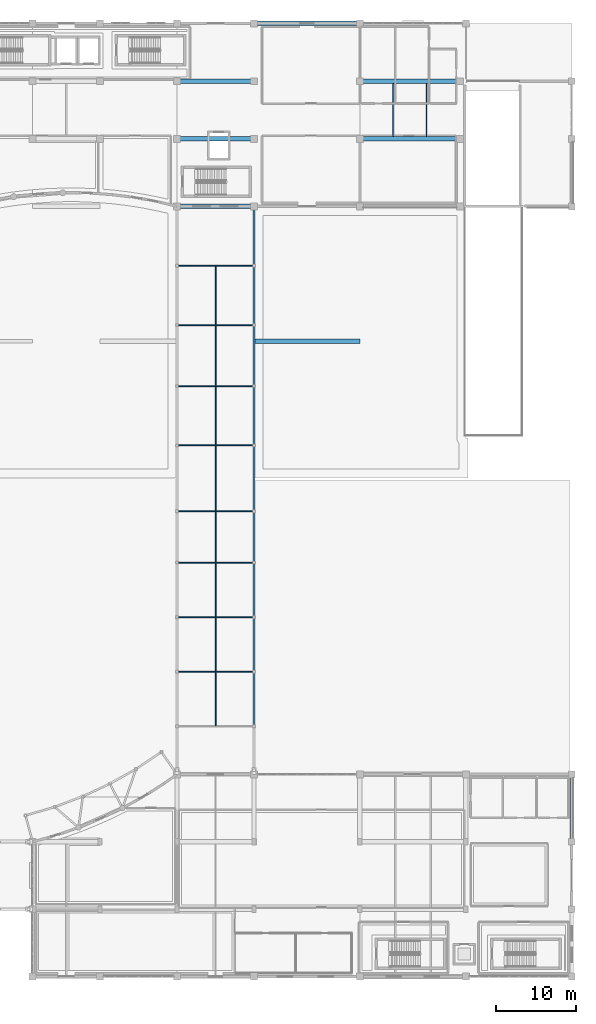
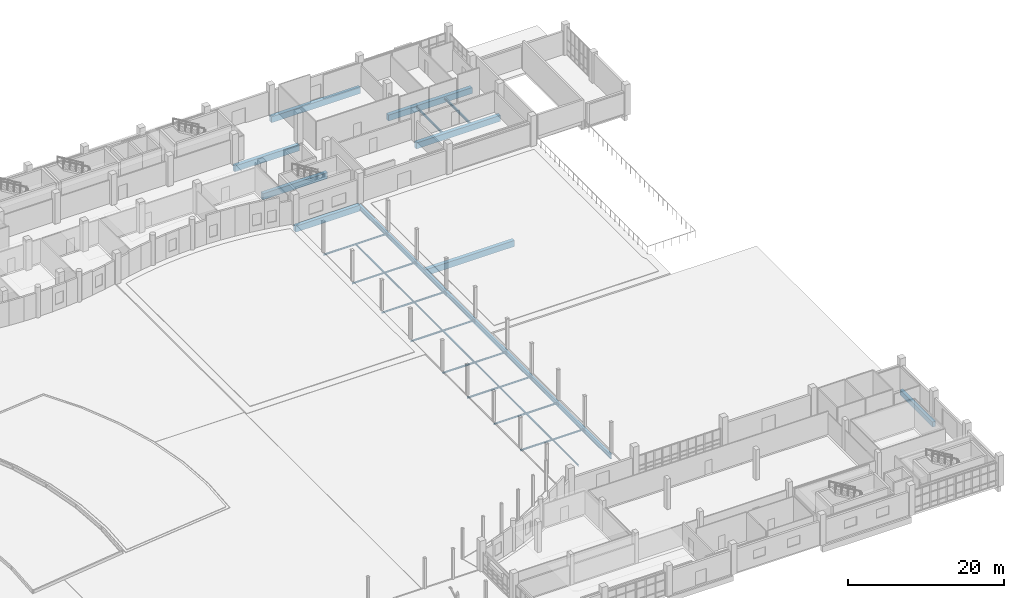
# One storey, part 41 of 97: 35 beams.
"""IFC4 building model written with IfcOpenShell, lengths in metres."""

from ifc_helpers import new_model, si_unit, direction, frame, origin, origin_2d, place, context, subcontext, project, spatial, rectangle, i_section, extrude, material, material_profile, profile_set, type_object, element, save


model = new_model("IFC4")

# Units and contexts
model_context = context("Model", 3, precision=1e-05, world=origin(), true_north=direction((0.0, 1.0)))
body_context = subcontext(model_context, "Body", "Model", "MODEL_VIEW")
ifc_project = project(units=[si_unit("LENGTHUNIT", "METRE"), si_unit("AREAUNIT", "SQUARE_METRE"), si_unit("VOLUMEUNIT", "CUBIC_METRE"), si_unit("PLANEANGLEUNIT", "RADIAN"), si_unit("MASSUNIT", "GRAM", prefix="KILO")], contexts=[model_context])

# Site, building, storey
site_placement = place(None, origin())
site = spatial("IfcSite", under=ifc_project, at=site_placement, CompositionType="ELEMENT")
building_placement = place(site_placement, origin())
building = spatial("IfcBuilding", under=site, at=building_placement, Name="Kisaragi Civic Commons", CompositionType="ELEMENT")
storey_placement = place(building_placement, origin())
storey = spatial("IfcBuildingStorey", under=building, at=storey_placement, Name="L00", CompositionType="ELEMENT", Elevation=0.0)

# Beams
ifc_material_1 = material(Name="Concrete Fc36", Category="concrete")
ifc_material_profile_1 = material_profile(ifc_material_1, rectangle(XDim=0.550048828125, YDim=0.949951171875, at=origin_2d()), Name="RC-550x950", Category="concrete")
ifc_profile_set_1 = profile_set([ifc_material_profile_1], Name="Concrete Fc36")
beam_type_1 = type_object("IfcBeamType", Name="G-01", PredefinedType="BEAM", material=ifc_profile_set_1)
beam_1_placement = place(storey_placement, frame((133.199951171875, 79.199951171875, -0.800048828125), z_axis=(1.0, 0.0, 0.0), x_axis=(0.0, 1.0, 0.0)))
element("IfcBeam", 1, at=beam_1_placement, inside=storey, type_object=beam_type_1, Name="L00 girder G-01 110", PredefinedType="BEAM", context=body_context, shape_type="SweptSolid", body=[
    extrude(rectangle(XDim=0.550048828125, YDim=0.949951171875, at=origin_2d()), origin(), (0.0, 0.0, 1.0), 13.199951171875),
])
for number, where, z_axis, x_axis, name in (
    (2, (123.60009765625, 96.0, -0.800048828125), (1.0, 0.0, 0.0), (0.0, 1.0, 0.0), "L00 girder G-01 114"),
    (3, (123.60009765625, 104.39990234375, -0.800048828125), (1.0, 0.0, 0.0), (0.0, 1.0, 0.0), "L00 girder G-01 118"),
):
    element("IfcBeam", number, at=place(storey_placement, frame(where, z_axis=z_axis, x_axis=x_axis)), inside=storey, type_object=beam_type_1, Name=name, PredefinedType="BEAM", context=body_context, shape_type="SweptSolid", body=[
        extrude(rectangle(XDim=0.550048828125, YDim=0.949951171875, at=origin_2d()), origin(), (0.0, 0.0, 1.0), 9.599853515625),
    ])
beam_2_placement = place(storey_placement, frame((146.39990234375, 104.39990234375, -0.800048828125), z_axis=(1.0, 0.0, 0.0), x_axis=(0.0, 1.0, 0.0)))
element("IfcBeam", 4, at=beam_2_placement, inside=storey, type_object=beam_type_1, Name="L00 girder G-01 119", PredefinedType="BEAM", context=body_context, shape_type="SweptSolid", body=[
    extrude(rectangle(XDim=0.550048828125, YDim=0.949951171875, at=origin_2d()), origin(), (0.0, 0.0, 1.0), 12.4501953125),
])
beam_3_placement = place(storey_placement, frame((123.60009765625, 111.60009765625, -0.800048828125), z_axis=(1.0, 0.0, 0.0), x_axis=(0.0, 1.0, 0.0)))
element("IfcBeam", 5, at=beam_3_placement, inside=storey, type_object=beam_type_1, Name="L00 girder G-01 123", PredefinedType="BEAM", context=body_context, shape_type="SweptSolid", body=[
    extrude(rectangle(XDim=0.550048828125, YDim=0.949951171875, at=origin_2d()), origin(), (0.0, 0.0, 1.0), 9.599853515625),
])
beam_4_placement = place(storey_placement, frame((146.39990234375, 111.60009765625, -0.800048828125), z_axis=(1.0, 0.0, 0.0), x_axis=(0.0, 1.0, 0.0)))
element("IfcBeam", 6, at=beam_4_placement, inside=storey, type_object=beam_type_1, Name="L00 girder G-01 124", PredefinedType="BEAM", context=body_context, shape_type="SweptSolid", body=[
    extrude(rectangle(XDim=0.550048828125, YDim=0.949951171875, at=origin_2d()), origin(), (0.0, 0.0, 1.0), 12.4501953125),
])
beam_5_placement = place(storey_placement, frame((133.199951171875, 118.800048828125, -0.800048828125), z_axis=(1.0, 0.0, 0.0), x_axis=(0.0, 1.0, 0.0)))
element("IfcBeam", 7, at=beam_5_placement, inside=storey, type_object=beam_type_1, Name="L00 girder G-01 127", PredefinedType="BEAM", context=body_context, shape_type="SweptSolid", body=[
    extrude(rectangle(XDim=0.550048828125, YDim=0.949951171875, at=origin_2d()), origin(), (0.0, 0.0, 1.0), 13.199951171875),
])
ifc_material_2 = material(Name="Steel SN490 (SN490B)", Category="steel")
ifc_material_profile_2 = material_profile(ifc_material_2, i_section(OverallWidth=0.300048828125, OverallDepth=0.699951171875, WebThickness=0.012939453125, FlangeThickness=0.02392578125, FilletRadius=0.01806640625, at=origin_2d()), Name="H-700x300x13x24", Category="steel")
ifc_profile_set_2 = profile_set([ifc_material_profile_2], Name="Steel SN490 (SN490B)")
beam_type_2 = type_object("IfcBeamType", Name="G-09", PredefinedType="BEAM", material=ifc_profile_set_2)
beam_6_placement = place(storey_placement, frame((133.199951171875, 96.0, -0.68994140625), z_axis=(0.0, -1.0, 0.0), x_axis=(1.0, 0.0, 0.0)))
element("IfcBeam", 8, at=beam_6_placement, inside=storey, type_object=beam_type_2, Name="BR-V4-V3 L00 bridge girder 102", PredefinedType="BEAM", context=body_context, shape_type="SweptSolid", body=[
    extrude(i_section(OverallWidth=0.300048828125, OverallDepth=0.699951171875, WebThickness=0.012939453125, FlangeThickness=0.02392578125, FilletRadius=0.01806640625, at=origin_2d()), origin(), (0.0, 0.0, 1.0), 7.39990234375),
])
beam_7_placement = place(storey_placement, frame((133.199951171875, 88.60009765625, -0.68994140625), z_axis=(0.0, -1.0, 0.0), x_axis=(1.0, 0.0, 0.0)))
element("IfcBeam", 9, at=beam_7_placement, inside=storey, type_object=beam_type_2, Name="BR-V4-V3 L00 bridge girder 103", PredefinedType="BEAM", context=body_context, shape_type="SweptSolid", body=[
    extrude(i_section(OverallWidth=0.300048828125, OverallDepth=0.699951171875, WebThickness=0.012939453125, FlangeThickness=0.02392578125, FilletRadius=0.01806640625, at=origin_2d()), origin(), (0.0, 0.0, 1.0), 7.400146484375),
])
beam_8_placement = place(storey_placement, frame((133.199951171875, 81.199951171875, -0.68994140625), z_axis=(0.0, -1.0, 0.0), x_axis=(1.0, 0.0, 0.0)))
element("IfcBeam", 10, at=beam_8_placement, inside=storey, type_object=beam_type_2, Name="BR-V4-V3 L00 bridge girder 104", PredefinedType="BEAM", context=body_context, shape_type="SweptSolid", body=[
    extrude(i_section(OverallWidth=0.300048828125, OverallDepth=0.699951171875, WebThickness=0.012939453125, FlangeThickness=0.02392578125, FilletRadius=0.01806640625, at=origin_2d()), origin(), (0.0, 0.0, 1.0), 7.599853515625),
])
beam_9_placement = place(storey_placement, frame((133.199951171875, 73.60009765625, -0.68994140625), z_axis=(0.0, -1.0, 0.0), x_axis=(1.0, 0.0, 0.0)))
element("IfcBeam", 11, at=beam_9_placement, inside=storey, type_object=beam_type_2, Name="BR-V4-V3 L00 bridge girder 105", PredefinedType="BEAM", context=body_context, shape_type="SweptSolid", body=[
    extrude(i_section(OverallWidth=0.300048828125, OverallDepth=0.699951171875, WebThickness=0.012939453125, FlangeThickness=0.02392578125, FilletRadius=0.01806640625, at=origin_2d()), origin(), (0.0, 0.0, 1.0), 7.400146484375),
])
beam_10_placement = place(storey_placement, frame((133.199951171875, 66.199951171875, -0.68994140625), z_axis=(0.0, -1.0, 0.0), x_axis=(1.0, 0.0, 0.0)))
element("IfcBeam", 12, at=beam_10_placement, inside=storey, type_object=beam_type_2, Name="BR-V4-V3 L00 bridge girder 106", PredefinedType="BEAM", context=body_context, shape_type="SweptSolid", body=[
    extrude(i_section(OverallWidth=0.300048828125, OverallDepth=0.699951171875, WebThickness=0.012939453125, FlangeThickness=0.02392578125, FilletRadius=0.01806640625, at=origin_2d()), origin(), (0.0, 0.0, 1.0), 8.199951171875),
])
beam_11_placement = place(storey_placement, frame((133.199951171875, 58.0, -0.68994140625), z_axis=(0.0, -1.0, 0.0), x_axis=(1.0, 0.0, 0.0)))
element("IfcBeam", 13, at=beam_11_placement, inside=storey, type_object=beam_type_2, Name="BR-V4-V3 L00 bridge girder 107", PredefinedType="BEAM", context=body_context, shape_type="SweptSolid", body=[
    extrude(i_section(OverallWidth=0.300048828125, OverallDepth=0.699951171875, WebThickness=0.012939453125, FlangeThickness=0.02392578125, FilletRadius=0.01806640625, at=origin_2d()), origin(), (0.0, 0.0, 1.0), 6.39990234375),
])
for number, where, z_axis, x_axis, name in (
    (14, (133.199951171875, 51.60009765625, -0.68994140625), (0.0, -1.0, 0.0), (1.0, 0.0, 0.0), "BR-V4-V3 L00 bridge girder 108"),
    (15, (133.199951171875, 44.800048828125, -0.68994140625), (0.0, -1.0, 0.0), (1.0, 0.0, 0.0), "BR-V4-V3 L00 bridge girder 109"),
    (16, (133.199951171875, 38.0, -0.68994140625), (0.0, -1.0, 0.0), (1.0, 0.0, 0.0), "BR-V4-V3 L00 bridge girder 110"),
):
    element("IfcBeam", number, at=place(storey_placement, frame(where, z_axis=z_axis, x_axis=x_axis)), inside=storey, type_object=beam_type_2, Name=name, PredefinedType="BEAM", context=body_context, shape_type="SweptSolid", body=[
        extrude(i_section(OverallWidth=0.300048828125, OverallDepth=0.699951171875, WebThickness=0.012939453125, FlangeThickness=0.02392578125, FilletRadius=0.01806640625, at=origin_2d()), origin(), (0.0, 0.0, 1.0), 6.800048828125),
    ])
ifc_material_3 = material(Name="Steel SN400 (SN400B)", Category="steel")
ifc_material_profile_3 = material_profile(ifc_material_3, i_section(OverallWidth=0.175048828125, OverallDepth=0.35009765625, WebThickness=0.007080078125, FlangeThickness=0.010986328125, FilletRadius=0.012939453125, at=origin_2d()), Name="H-350x175x7x11", Category="steel")
ifc_profile_set_3 = profile_set([ifc_material_profile_3], Name="Steel SN400 (SN400B)")
beam_type_3 = type_object("IfcBeamType", Name="J-02", PredefinedType="JOIST", material=ifc_profile_set_3)
for number, where, z_axis, x_axis, name in (
    (17, (150.550048828125, 104.675048828125, -0.5), (0.0, 1.0, 0.0), (-1.0, 0.0, 0.0), "L00 secondary steel joist J-02 37"),
    (18, (154.699951171875, 104.675048828125, -0.5), (0.0, 1.0, 0.0), (-1.0, 0.0, 0.0), "L00 secondary steel joist J-02 38"),
):
    element("IfcBeam", number, at=place(storey_placement, frame(where, z_axis=z_axis, x_axis=x_axis)), inside=storey, type_object=beam_type_3, Name=name, PredefinedType="JOIST", context=body_context, shape_type="SweptSolid", body=[
        extrude(i_section(OverallWidth=0.175048828125, OverallDepth=0.35009765625, WebThickness=0.007080078125, FlangeThickness=0.010986328125, FilletRadius=0.012939453125, at=origin_2d()), origin(), (0.0, 0.0, 1.0), 6.64990234375),
    ])
ifc_material_profile_4 = material_profile(ifc_material_3, i_section(OverallWidth=0.125, OverallDepth=0.25, WebThickness=0.006103515625, FlangeThickness=0.009033203125, FilletRadius=0.008056640625, at=origin_2d()), Name="H-250x125x6x9", Category="steel")
ifc_profile_set_4 = profile_set([ifc_material_profile_4], Name="Steel SN400 (SN400B)")
beam_type_4 = type_object("IfcBeamType", Name="J-05", PredefinedType="JOIST", material=ifc_profile_set_4)
for number, where, z_axis, x_axis, name in (
    (19, (123.60009765625, 88.60009765625, -0.465087890625), (1.0, 0.0, 0.0), (0.0, 1.0, 0.0), "BR-V4-V3 L00 cross joist 113"),
    (20, (123.60009765625, 81.199951171875, -0.465087890625), (1.0, 0.0, 0.0), (0.0, 1.0, 0.0), "BR-V4-V3 L00 cross joist 114"),
    (21, (123.60009765625, 73.60009765625, -0.465087890625), (1.0, 0.0, 0.0), (0.0, 1.0, 0.0), "BR-V4-V3 L00 cross joist 115"),
    (22, (123.60009765625, 66.199951171875, -0.465087890625), (1.0, 0.0, 0.0), (0.0, 1.0, 0.0), "BR-V4-V3 L00 cross joist 116"),
    (23, (123.60009765625, 58.0, -0.465087890625), (1.0, 0.0, 0.0), (0.0, 1.0, 0.0), "BR-V4-V3 L00 cross joist 117"),
    (24, (123.60009765625, 51.60009765625, -0.465087890625), (1.0, 0.0, 0.0), (0.0, 1.0, 0.0), "BR-V4-V3 L00 cross joist 118"),
    (25, (123.60009765625, 44.800048828125, -0.465087890625), (1.0, 0.0, 0.0), (0.0, 1.0, 0.0), "BR-V4-V3 L00 cross joist 119"),
    (26, (123.60009765625, 38.0, -0.465087890625), (1.0, 0.0, 0.0), (0.0, 1.0, 0.0), "BR-V4-V3 L00 cross joist 120"),
):
    element("IfcBeam", number, at=place(storey_placement, frame(where, z_axis=z_axis, x_axis=x_axis)), inside=storey, type_object=beam_type_4, Name=name, PredefinedType="JOIST", context=body_context, shape_type="SweptSolid", body=[
        extrude(i_section(OverallWidth=0.125, OverallDepth=0.25, WebThickness=0.006103515625, FlangeThickness=0.009033203125, FilletRadius=0.008056640625, at=origin_2d()), origin(), (0.0, 0.0, 1.0), 9.599853515625),
    ])
beam_12_placement = place(storey_placement, frame((128.39990234375, 88.53759765625, -0.465087890625), z_axis=(0.0, -1.0, 0.0), x_axis=(1.0, 0.0, 0.0)))
element("IfcBeam", 27, at=beam_12_placement, inside=storey, type_object=beam_type_4, Name="BR-V4-V3 L00 spine joist 122", PredefinedType="JOIST", context=body_context, shape_type="SweptSolid", body=[
    extrude(i_section(OverallWidth=0.125, OverallDepth=0.25, WebThickness=0.006103515625, FlangeThickness=0.009033203125, FilletRadius=0.008056640625, at=origin_2d()), origin(), (0.0, 0.0, 1.0), 7.275146484375),
])
beam_13_placement = place(storey_placement, frame((128.39990234375, 81.137451171875, -0.465087890625), z_axis=(0.0, -1.0, 0.0), x_axis=(1.0, 0.0, 0.0)))
element("IfcBeam", 28, at=beam_13_placement, inside=storey, type_object=beam_type_4, Name="BR-V4-V3 L00 spine joist 123", PredefinedType="JOIST", context=body_context, shape_type="SweptSolid", body=[
    extrude(i_section(OverallWidth=0.125, OverallDepth=0.25, WebThickness=0.006103515625, FlangeThickness=0.009033203125, FilletRadius=0.008056640625, at=origin_2d()), origin(), (0.0, 0.0, 1.0), 7.474853515625),
])
beam_14_placement = place(storey_placement, frame((128.39990234375, 73.53759765625, -0.465087890625), z_axis=(0.0, -1.0, 0.0), x_axis=(1.0, 0.0, 0.0)))
element("IfcBeam", 29, at=beam_14_placement, inside=storey, type_object=beam_type_4, Name="BR-V4-V3 L00 spine joist 124", PredefinedType="JOIST", context=body_context, shape_type="SweptSolid", body=[
    extrude(i_section(OverallWidth=0.125, OverallDepth=0.25, WebThickness=0.006103515625, FlangeThickness=0.009033203125, FilletRadius=0.008056640625, at=origin_2d()), origin(), (0.0, 0.0, 1.0), 7.275146484375),
])
beam_15_placement = place(storey_placement, frame((128.39990234375, 66.137451171875, -0.465087890625), z_axis=(0.0, -1.0, 0.0), x_axis=(1.0, 0.0, 0.0)))
element("IfcBeam", 30, at=beam_15_placement, inside=storey, type_object=beam_type_4, Name="BR-V4-V3 L00 spine joist 125", PredefinedType="JOIST", context=body_context, shape_type="SweptSolid", body=[
    extrude(i_section(OverallWidth=0.125, OverallDepth=0.25, WebThickness=0.006103515625, FlangeThickness=0.009033203125, FilletRadius=0.008056640625, at=origin_2d()), origin(), (0.0, 0.0, 1.0), 8.074951171875),
])
beam_16_placement = place(storey_placement, frame((128.39990234375, 57.9375, -0.465087890625), z_axis=(0.0, -1.0, 0.0), x_axis=(1.0, 0.0, 0.0)))
element("IfcBeam", 31, at=beam_16_placement, inside=storey, type_object=beam_type_4, Name="BR-V4-V3 L00 spine joist 126", PredefinedType="JOIST", context=body_context, shape_type="SweptSolid", body=[
    extrude(i_section(OverallWidth=0.125, OverallDepth=0.25, WebThickness=0.006103515625, FlangeThickness=0.009033203125, FilletRadius=0.008056640625, at=origin_2d()), origin(), (0.0, 0.0, 1.0), 6.27490234375),
])
for number, where, z_axis, x_axis, name in (
    (32, (128.39990234375, 51.53759765625, -0.465087890625), (0.0, -1.0, 0.0), (1.0, 0.0, 0.0), "BR-V4-V3 L00 spine joist 127"),
    (33, (128.39990234375, 44.737548828125, -0.465087890625), (0.0, -1.0, 0.0), (1.0, 0.0, 0.0), "BR-V4-V3 L00 spine joist 128"),
    (34, (128.39990234375, 37.9375, -0.465087890625), (0.0, -1.0, 0.0), (1.0, 0.0, 0.0), "BR-V4-V3 L00 spine joist 129"),
):
    element("IfcBeam", number, at=place(storey_placement, frame(where, z_axis=z_axis, x_axis=x_axis)), inside=storey, type_object=beam_type_4, Name=name, PredefinedType="JOIST", context=body_context, shape_type="SweptSolid", body=[
        extrude(i_section(OverallWidth=0.125, OverallDepth=0.25, WebThickness=0.006103515625, FlangeThickness=0.009033203125, FilletRadius=0.008056640625, at=origin_2d()), origin(), (0.0, 0.0, 1.0), 6.675048828125),
    ])
ifc_material_4 = material(Name="Concrete Fc30", Category="concrete")
ifc_material_profile_5 = material_profile(ifc_material_4, rectangle(XDim=0.449951171875, YDim=0.800048828125, at=origin_2d()), Name="RC-450x800", Category="concrete")
ifc_profile_set_5 = profile_set([ifc_material_profile_5], Name="Concrete Fc30")
beam_type_5 = type_object("IfcBeamType", Name="SPB-01", PredefinedType="SPANDREL", material=ifc_profile_set_5)
beam_17_placement = place(storey_placement, frame((172.800048828125, 16.800048828125, -0.72509765625), z_axis=(0.0, 1.0, 0.0), x_axis=(-1.0, 0.0, 0.0)))
element("IfcBeam", 35, at=beam_17_placement, inside=storey, type_object=beam_type_5, Name="L00 girder SPB-01 106", PredefinedType="SPANDREL", context=body_context, shape_type="SweptSolid", body=[
    extrude(rectangle(XDim=0.449951171875, YDim=0.800048828125, at=origin_2d()), origin(), (0.0, 0.0, 1.0), 8.39990234375),
])

save(model, "model.ifc")
